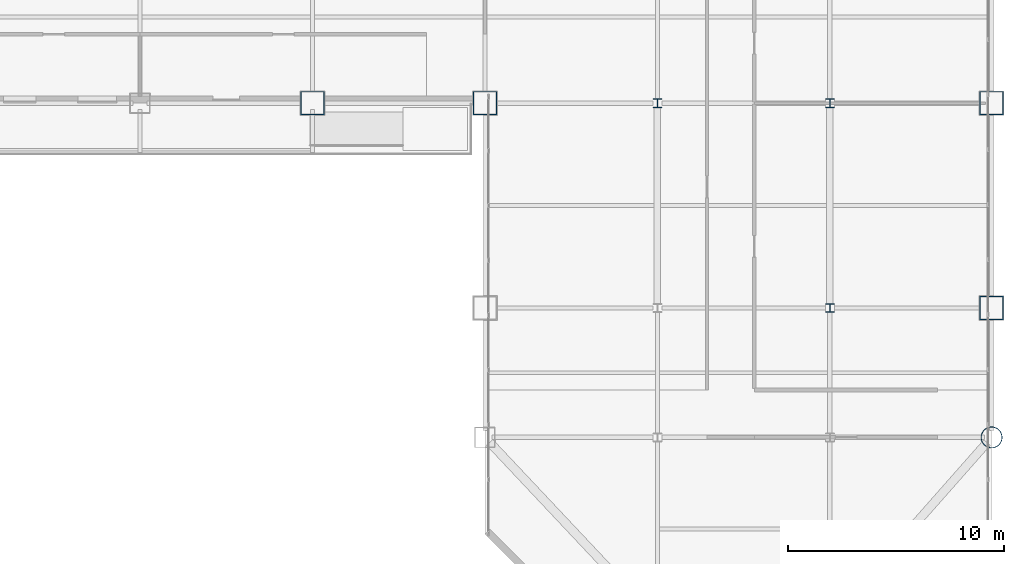
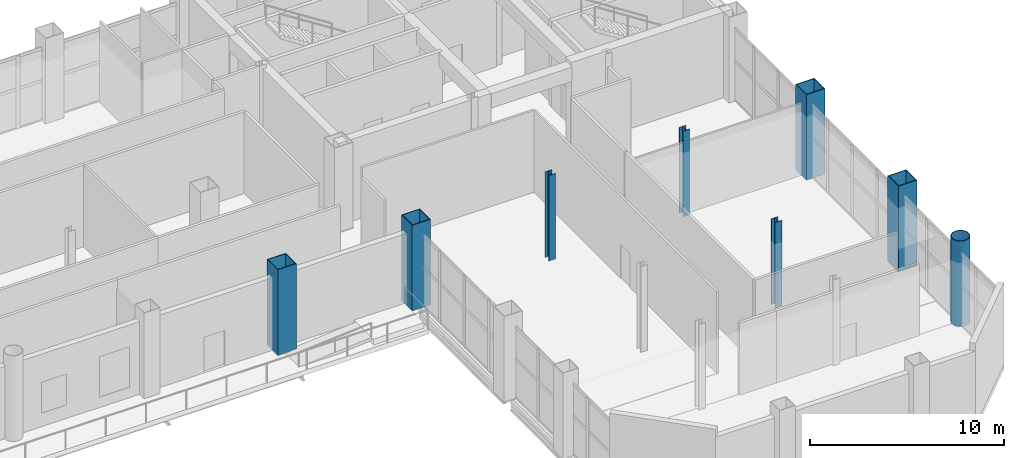
# One storey, part 2 of 22: 8 columns.
"""IFC4 building model written with IfcOpenShell, lengths in metres."""

from ifc_helpers import new_model, si_unit, direction, frame, origin, origin_2d, place, context, subcontext, project, spatial, hollow_rectangle, hollow_circle, i_section, extrude, material, material_profile, profile_set, type_object, element, save


model = new_model("IFC4")

# Units and contexts
model_context = context("Model", 3, precision=1e-05, world=origin(), true_north=direction((0.0, 1.0)))
body_context = subcontext(model_context, "Body", "Model", "MODEL_VIEW")
ifc_project = project(units=[si_unit("LENGTHUNIT", "METRE"), si_unit("AREAUNIT", "SQUARE_METRE"), si_unit("VOLUMEUNIT", "CUBIC_METRE"), si_unit("PLANEANGLEUNIT", "RADIAN"), si_unit("MASSUNIT", "GRAM", prefix="KILO")], contexts=[model_context])

# Site, building, storey
site_placement = place(None, origin())
site = spatial("IfcSite", under=ifc_project, at=site_placement, CompositionType="ELEMENT")
building_placement = place(site_placement, origin())
building = spatial("IfcBuilding", under=site, at=building_placement, Name="Qianrong Seaharbour Tower", CompositionType="ELEMENT")
storey_placement = place(building_placement, frame((0.0, 0.0, 113.60009765625)))
storey = spatial("IfcBuildingStorey", under=building, at=storey_placement, Name="L27", CompositionType="ELEMENT", Elevation=113.60009765625)

# Columns
ifc_material = material(Name="Structural steel SN490B", Category="steel")
ifc_material_profile_1 = material_profile(ifc_material, hollow_rectangle(XDim=1.10009765625, YDim=1.10009765625, WallThickness=0.0400390625, at=origin_2d()), Name="BOX1100x1100x40")
ifc_profile_set_1 = profile_set([ifc_material_profile_1], Name="Structural steel SN490B")
column_type_1 = type_object("IfcColumnType", Name="COL-CFT-1100", PredefinedType="COLUMN", material=ifc_profile_set_1)
for number, where, z_axis, x_axis, name in (
    (1, (32.5, 28.0, 0.0), (0.0, 0.0, 1.0), (1.0, 0.0, 0.0), "L27 Column MC-3 at G5/GE"),
    (2, (40.5, 28.0, 0.0), (0.0, 0.0, 1.0), (1.0, 0.0, 0.0), "L27 Column MC-3 at G6/GE"),
    (3, (64.0, 18.5, 0.0), (0.0, 0.0, 1.0), (1.0, 0.0, 0.0), "L27 Column MC-3 at G9/GD"),
    (4, (64.0, 28.0, 0.0), (0.0, 0.0, 1.0), (1.0, 0.0, 0.0), "L27 Column MC-3 at G9/GE"),
):
    element("IfcColumn", number, at=place(storey_placement, frame(where, z_axis=z_axis, x_axis=x_axis)), inside=storey, type_object=column_type_1, Name=name, PredefinedType="COLUMN", context=body_context, shape_type="SweptSolid", body=[
        extrude(hollow_rectangle(XDim=1.10009765625, YDim=1.10009765625, WallThickness=0.0400390625, at=origin_2d()), origin(), (0.0, 0.0, 1.0), 5.39990234375),
    ])
ifc_material_profile_2 = material_profile(ifc_material, hollow_circle(Radius=0.5, WallThickness=0.035888671875, at=origin_2d()), Name="CHS1000x36")
ifc_profile_set_2 = profile_set([ifc_material_profile_2], Name="Structural steel SN490B")
column_type_2 = type_object("IfcColumnType", Name="COL-CHS-1000", PredefinedType="COLUMN", material=ifc_profile_set_2)
column_placement = place(storey_placement, frame((64.0, 12.5, 0.0), z_axis=(0.0, 0.0, 1.0), x_axis=(1.0, 0.0, 0.0)))
element("IfcColumn", 5, at=column_placement, inside=storey, type_object=column_type_2, Name="L27 Column CC-2 at G9/GC", PredefinedType="COLUMN", context=body_context, shape_type="SweptSolid", body=[
    extrude(hollow_circle(Radius=0.5, WallThickness=0.035888671875, at=origin_2d()), origin(), (0.0, 0.0, 1.0), 5.39990234375),
])
ifc_material_profile_3 = material_profile(ifc_material, i_section(OverallWidth=0.39990234375, OverallDepth=0.39990234375, WebThickness=0.012939453125, FlangeThickness=0.02099609375, FilletRadius=0.02197265625, at=origin_2d()), Name="H400x400x13x21")
ifc_profile_set_3 = profile_set([ifc_material_profile_3], Name="Structural steel SN490B")
column_type_3 = type_object("IfcColumnType", Name="COL-INT-H400", PredefinedType="COLUMN", material=ifc_profile_set_3)
for number, where, z_axis, x_axis, name in (
    (6, (48.5, 28.0, 0.0), (0.0, 0.0, 1.0), (1.0, 0.0, 0.0), "L27 Column IC-3 at G7/GE"),
    (7, (56.5, 18.5, 0.0), (0.0, 0.0, 1.0), (1.0, 0.0, 0.0), "L27 Column IC-3 at G8/GD"),
    (8, (56.5, 28.0, 0.0), (0.0, 0.0, 1.0), (1.0, 0.0, 0.0), "L27 Column IC-3 at G8/GE"),
):
    element("IfcColumn", number, at=place(storey_placement, frame(where, z_axis=z_axis, x_axis=x_axis)), inside=storey, type_object=column_type_3, Name=name, PredefinedType="COLUMN", context=body_context, shape_type="SweptSolid", body=[
        extrude(i_section(OverallWidth=0.39990234375, OverallDepth=0.39990234375, WebThickness=0.012939453125, FlangeThickness=0.02099609375, FilletRadius=0.02197265625, at=origin_2d()), origin(), (0.0, 0.0, 1.0), 5.39990234375),
    ])

save(model, "model.ifc")
